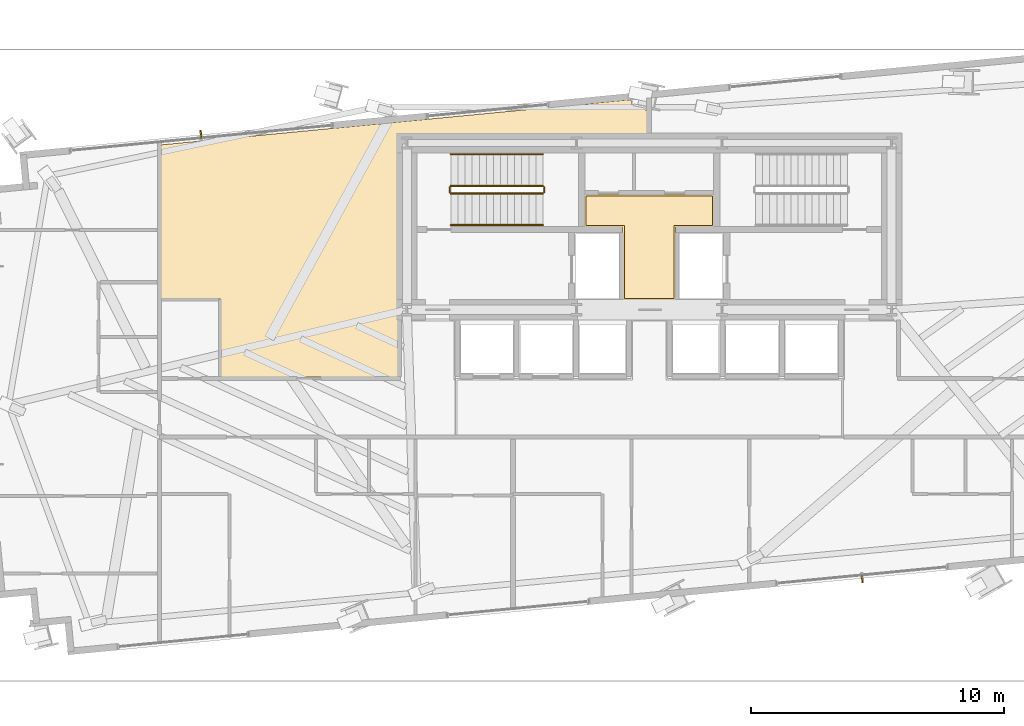
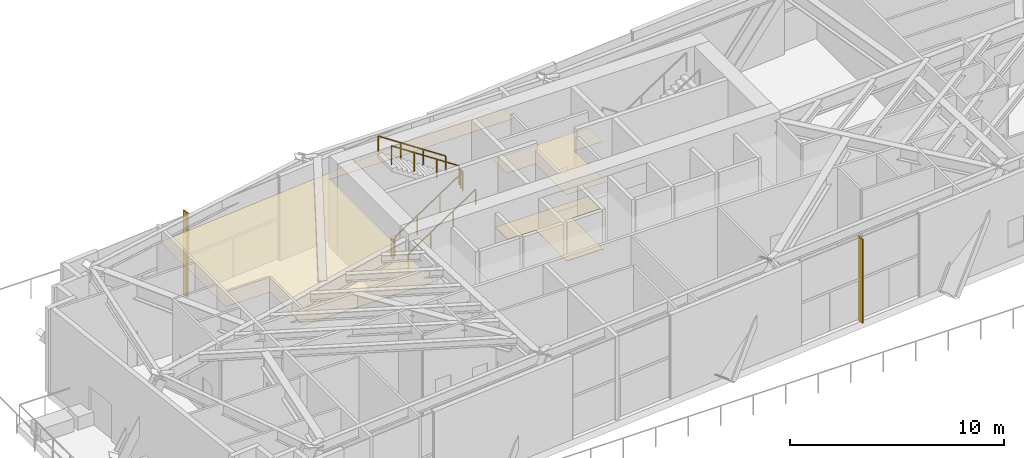
# One storey, part 26 of 28: 6 railings, 3 coverings, 2 shading devices.
"""IFC4 building model written with IfcOpenShell, lengths in metres."""

from ifc_helpers import new_model, si_unit, direction, frame, origin, origin_2d, place, context, subcontext, project, spatial, polyline, rectangle, outline, extrude, source, transform, mapped, material, layer, layer_set, type_object, type_shapes, element, save


model = new_model("IFC4")

# Units and contexts
model_context = context("Model", 3, precision=1e-05, world=origin(), true_north=direction((0.0, 1.0)))
body_context = subcontext(model_context, "Body", "Model", "MODEL_VIEW")
ifc_project = project(units=[si_unit("LENGTHUNIT", "METRE"), si_unit("AREAUNIT", "SQUARE_METRE"), si_unit("VOLUMEUNIT", "CUBIC_METRE"), si_unit("PLANEANGLEUNIT", "RADIAN"), si_unit("MASSUNIT", "GRAM", prefix="KILO")], contexts=[model_context])

# Site, building, storey
site_placement = place(None, origin())
site = spatial("IfcSite", under=ifc_project, at=site_placement, CompositionType="ELEMENT")
building_placement = place(site_placement, origin())
building = spatial("IfcBuilding", under=site, at=building_placement, Name="Astriad Promenade Condominiums", CompositionType="ELEMENT")
storey_placement = place(building_placement, frame((0.0, 0.0, 72.60009765625)))
storey = spatial("IfcBuildingStorey", under=building, at=storey_placement, Name="L20", CompositionType="ELEMENT", Elevation=72.60009765625)

# Coverings
ifc_material_1 = material(Name="Mineral-Fibre Acoustic Ceiling Tile")
ifc_layer_1 = layer(ifc_material_1, 0.02490234375)
ifc_layer_set_1 = layer_set([ifc_layer_1], Name="Mineral-Fibre Acoustic Ceiling Tile")
covering_type_1 = type_object("IfcCoveringType", Name="COV-CEIL-ACOUSTIC-25", PredefinedType="CEILING", material=ifc_layer_set_1)
covering_1_placement = place(storey_placement, frame((0.0, 0.0, 3.8349609375)))
element("IfcCovering", 1, at=covering_1_placement, inside=storey, type_object=covering_type_1, Name="CEIL-L20-CSL", PredefinedType="CEILING", context=body_context, shape_type="SweptSolid", body=[
    extrude(outline(polyline([(37.050048828125, 17.800048828125), (37.0498046875, 17.797119140625), (37.04931640625, 17.794189453125), (37.048583984375, 17.791259765625), (37.047607421875, 17.78857421875), (37.04638671875, 17.785888671875), (37.044921875, 17.783203125), (37.043212890625, 17.781005859375), (37.041259765625, 17.77880859375), (37.0390625, 17.77685546875), (37.03662109375, 17.775146484375), (37.0341796875, 17.7734375), (37.031494140625, 17.772216796875), (37.02880859375, 17.771240234375), (37.02587890625, 17.7705078125), (37.02294921875, 17.77001953125), (37.02001953125, 17.77001953125), (34.97998046875, 17.77001953125), (34.97705078125, 17.77001953125), (34.97412109375, 17.7705078125), (34.97119140625, 17.771240234375), (34.968505859375, 17.772216796875), (34.9658203125, 17.7734375), (34.96337890625, 17.775146484375), (34.9609375, 17.77685546875), (34.958740234375, 17.77880859375), (34.956787109375, 17.781005859375), (34.955078125, 17.783203125), (34.95361328125, 17.785888671875), (34.952392578125, 17.78857421875), (34.951416015625, 17.791259765625), (34.95068359375, 17.794189453125), (34.9501953125, 17.797119140625), (34.949951171875, 17.800048828125), (34.949951171875, 20.669921875), (33.4599609375, 20.669921875), (33.45703125, 20.670166015625), (33.4541015625, 20.670654296875), (33.451416015625, 20.67138671875), (33.448486328125, 20.67236328125), (33.44580078125, 20.673583984375), (33.443359375, 20.675048828125), (33.44091796875, 20.6767578125), (33.438720703125, 20.6787109375), (33.436767578125, 20.680908203125), (33.43505859375, 20.683349609375), (33.43359375, 20.685791015625), (33.432373046875, 20.6884765625), (33.431396484375, 20.69140625), (33.4306640625, 20.694091796875), (33.43017578125, 20.697021484375), (33.429931640625, 20.699951171875), (33.429931640625, 21.949951171875), (33.43017578125, 21.952880859375), (33.4306640625, 21.955810546875), (33.431396484375, 21.958740234375), (33.432373046875, 21.96142578125), (33.43359375, 21.964111328125), (33.43505859375, 21.966796875), (33.436767578125, 21.968994140625), (33.438720703125, 21.97119140625), (33.44091796875, 21.97314453125), (33.443359375, 21.974853515625), (33.44580078125, 21.9765625), (33.448486328125, 21.977783203125), (33.451416015625, 21.978759765625), (33.4541015625, 21.9794921875), (33.45703125, 21.97998046875), (33.4599609375, 21.97998046875), (38.5400390625, 21.97998046875), (38.54296875, 21.97998046875), (38.5458984375, 21.9794921875), (38.548583984375, 21.978759765625), (38.551513671875, 21.977783203125), (38.55419921875, 21.9765625), (38.556640625, 21.974853515625), (38.55908203125, 21.97314453125), (38.561279296875, 21.97119140625), (38.563232421875, 21.968994140625), (38.56494140625, 21.966796875), (38.56640625, 21.964111328125), (38.567626953125, 21.96142578125), (38.568603515625, 21.958740234375), (38.5693359375, 21.955810546875), (38.56982421875, 21.952880859375), (38.570068359375, 21.949951171875), (38.570068359375, 20.699951171875), (38.56982421875, 20.697021484375), (38.5693359375, 20.694091796875), (38.568603515625, 20.69140625), (38.567626953125, 20.6884765625), (38.56640625, 20.685791015625), (38.56494140625, 20.683349609375), (38.563232421875, 20.680908203125), (38.561279296875, 20.6787109375), (38.55908203125, 20.6767578125), (38.556640625, 20.675048828125), (38.55419921875, 20.673583984375), (38.551513671875, 20.67236328125), (38.548583984375, 20.67138671875), (38.5458984375, 20.670654296875), (38.54296875, 20.670166015625), (38.5400390625, 20.669921875), (37.050048828125, 20.669921875), (37.050048828125, 17.800048828125)])), origin(), (0.0, 0.0, 1.0), 0.02490234375),
])
covering_2_placement = place(storey_placement, frame((0.0, 0.0, 3.8349609375)))
element("IfcCovering", 2, at=covering_2_placement, inside=storey, type_object=covering_type_1, Name="CEIL-L20-NWA", PredefinedType="CEILING", context=body_context, shape_type="SweptSolid", body=[
    extrude(outline(polyline([(35.32861328125, 25.63330078125), (35.286376953125, 25.42724609375), (35.718505859375, 25.33837890625), (35.929931640625, 25.295166015625), (35.929931640625, 24.39990234375), (35.929931640625, 24.397216796875), (35.929443359375, 24.39404296875), (35.9287109375, 24.391357421875), (35.927734375, 24.388427734375), (35.926513671875, 24.385986328125), (35.9248046875, 24.38330078125), (35.923095703125, 24.381103515625), (35.921142578125, 24.37890625), (35.9189453125, 24.376708984375), (35.916748046875, 24.375), (35.9140625, 24.37353515625), (35.91162109375, 24.372314453125), (35.90869140625, 24.371337890625), (35.906005859375, 24.37060546875), (35.90283203125, 24.3701171875), (35.89990234375, 24.3701171875), (26.030029296875, 24.3701171875), (26.030029296875, 17.030029296875), (26.0400390625, 17.030029296875), (26.04296875, 17.02978515625), (26.0458984375, 17.029296875), (26.048583984375, 17.02880859375), (26.051513671875, 17.027587890625), (26.05419921875, 17.026611328125), (26.056640625, 17.02490234375), (26.05908203125, 17.023193359375), (26.061279296875, 17.021240234375), (26.063232421875, 17.01904296875), (26.06494140625, 17.0166015625), (26.06640625, 17.01416015625), (26.067626953125, 17.011474609375), (26.068603515625, 17.0087890625), (26.0693359375, 17.005859375), (26.06982421875, 17.0029296875), (26.070068359375, 17.0), (26.070068359375, 14.760009765625), (26.06982421875, 14.757080078125), (26.0693359375, 14.754150390625), (26.068603515625, 14.751220703125), (26.067626953125, 14.74853515625), (26.06640625, 14.745849609375), (26.06494140625, 14.743408203125), (26.063232421875, 14.740966796875), (26.061279296875, 14.73876953125), (26.05908203125, 14.73681640625), (26.056640625, 14.735107421875), (26.05419921875, 14.7333984375), (26.051513671875, 14.732421875), (26.048583984375, 14.731201171875), (26.0458984375, 14.730712890625), (26.04296875, 14.72998046875), (26.0400390625, 14.72998046875), (19.06005859375, 14.72998046875), (19.05712890625, 14.72998046875), (19.05419921875, 14.730712890625), (19.05126953125, 14.731201171875), (19.048583984375, 14.732421875), (19.0458984375, 14.7333984375), (19.043212890625, 14.735107421875), (19.041015625, 14.73681640625), (19.038818359375, 14.73876953125), (19.036865234375, 14.740966796875), (19.03515625, 14.743408203125), (19.033447265625, 14.745849609375), (19.0322265625, 14.74853515625), (19.03125, 14.751220703125), (19.030517578125, 14.754150390625), (19.030029296875, 14.757080078125), (19.030029296875, 14.760009765625), (19.030029296875, 17.830078125), (16.679931640625, 17.830078125), (16.677001953125, 17.830078125), (16.674072265625, 17.83056640625), (16.67138671875, 17.831298828125), (16.66845703125, 17.832275390625), (16.666015625, 17.83349609375), (16.663330078125, 17.835205078125), (16.660888671875, 17.8369140625), (16.65869140625, 17.8388671875), (16.65673828125, 17.841064453125), (16.655029296875, 17.84326171875), (16.653564453125, 17.845947265625), (16.65234375, 17.848388671875), (16.6513671875, 17.851318359375), (16.650634765625, 17.85400390625), (16.650146484375, 17.857177734375), (16.64990234375, 17.860107421875), (16.64990234375, 23.923828125), (35.25146484375, 25.71484375), (35.287841796875, 25.660400390625), (35.32861328125, 25.63330078125)])), origin(), (0.0, 0.0, 1.0), 0.02490234375),
])
ifc_material_2 = material(Name="Polished Lakefront Terrazzo Flooring")
ifc_layer_2 = layer(ifc_material_2, 0.02001953125)
ifc_layer_set_2 = layer_set([ifc_layer_2], Name="Polished Lakefront Terrazzo Flooring")
covering_type_2 = type_object("IfcCoveringType", Name="COV-FLOR-TERRAZZO-20", PredefinedType="FLOORING", material=ifc_layer_set_2)
covering_3_placement = place(storey_placement, origin())
element("IfcCovering", 3, at=covering_3_placement, inside=storey, type_object=covering_type_2, Name="FLR-L20-CSL", PredefinedType="FLOORING", context=body_context, shape_type="SweptSolid", body=[
    extrude(outline(polyline([(36.97998046875, 20.699951171875), (36.97998046875, 17.840087890625), (35.02001953125, 17.840087890625), (35.02001953125, 20.699951171875), (35.019775390625, 20.703857421875), (35.019287109375, 20.707763671875), (35.018310546875, 20.711669921875), (35.01708984375, 20.71533203125), (35.015380859375, 20.718994140625), (35.01318359375, 20.72216796875), (35.010986328125, 20.725341796875), (35.00830078125, 20.728271484375), (35.00537109375, 20.73095703125), (35.002197265625, 20.7333984375), (34.998779296875, 20.7353515625), (34.995361328125, 20.737060546875), (34.99169921875, 20.73828125), (34.98779296875, 20.7392578125), (34.98388671875, 20.73974609375), (34.97998046875, 20.739990234375), (33.5, 20.739990234375), (33.5, 21.909912109375), (38.5, 21.909912109375), (38.5, 20.739990234375), (37.02001953125, 20.739990234375), (37.01611328125, 20.73974609375), (37.01220703125, 20.7392578125), (37.00830078125, 20.73828125), (37.004638671875, 20.737060546875), (37.001220703125, 20.7353515625), (36.997802734375, 20.7333984375), (36.99462890625, 20.73095703125), (36.99169921875, 20.728271484375), (36.989013671875, 20.725341796875), (36.98681640625, 20.72216796875), (36.984619140625, 20.718994140625), (36.98291015625, 20.71533203125), (36.981689453125, 20.711669921875), (36.980712890625, 20.707763671875), (36.980224609375, 20.703857421875), (36.97998046875, 20.699951171875)])), origin(), (0.0, 0.0, 1.0), 0.02001953125),
])

# Shading devices
ifc_material_3 = material(Name="Anodised aluminium 6063-T6 Black Fin", Category="aluminium")
shading_device_type = type_object("IfcShadingDeviceType", Name="FIN-BLACK-320", PredefinedType="USERDEFINED", material=ifc_material_3)
shared_shape_1 = source(origin(), body_context, "Body", "SweptSolid", [
    extrude(rectangle(XDim=0.06494140625, YDim=0.320068359375, at=origin_2d()), origin(), (0.0, 0.0, 1.0), 4.780029296875),
])
type_shapes(shading_device_type, [shared_shape_1])
for number, where, z_axis, x_axis, name in (
    (4, (18.248046875, 24.339111328125, 0.0), (0.0, 0.0, 1.0), (0.995396198367, 0.09584575252, 0.0), "CW-L20-N-1-FIN-01"),
    (5, (44.4345703125, 6.747802734375, 0.0), (0.0, 0.0, 1.0), (-0.995396198367, -0.09584575252, 0.0), "CW-L20-S-2-FIN-01"),
):
    element("IfcShadingDevice", number, at=place(storey_placement, frame(where, z_axis=z_axis, x_axis=x_axis)), inside=storey, type_object=shading_device_type, Name=name, ObjectType="FIN", PredefinedType="USERDEFINED", context=body_context, shape_type="MappedRepresentation", body=[
        mapped(shared_shape_1, transform((0.0, 0.0, 0.0), scale=1.0)),
    ])

# Railings
ifc_material_4 = material(Name="Painted Galvanised Steel Guardrail", Category="steel")
railing_type_1 = type_object("IfcRailingType", Name="GRD-STAIR-1100", PredefinedType="GUARDRAIL", material=ifc_material_4)
shared_shape_2 = source(origin(), body_context, "Body", "SweptSolid", [
    extrude(rectangle(XDim=0.048095703125, YDim=0.048095703125, at=origin_2d()), frame((0.0, 0.0, 1.076171875), z_axis=(0.0, 1.0, 0.0), x_axis=(-1.0, 0.0, 0.0)), (0.0, 0.0, 1.0), 0.199951171875),
    extrude(rectangle(XDim=0.0419921875, YDim=0.0419921875, at=origin_2d()), origin(), (0.0, 0.0, 1.0), 1.052001953125),
    extrude(rectangle(XDim=0.0419921875, YDim=0.0419921875, at=origin_2d()), frame((0.0, 0.199951171875, 0.0)), (0.0, 0.0, 1.0), 1.052001953125),
])
for number, where, name in (
    (6, (31.840087890625, 22.050048828125, 2.599853515625), "L20 ST-1 stair guard 2"),
    (7, (28.10009765625, 22.050048828125, 0.0), "L20 ST-1 stair guard 4"),
):
    element("IfcRailing", number, at=place(storey_placement, frame(where)), inside=storey, type_object=railing_type_1, Name=name, PredefinedType="GUARDRAIL", context=body_context, shape_type="MappedRepresentation", body=[
        mapped(shared_shape_2, transform((0.0, 0.0, 0.0), scale=1.0)),
    ])
shared_shape_3 = source(origin(), body_context, "Body", "SweptSolid", [
    extrude(rectangle(XDim=0.048095703125, YDim=0.048095703125, at=origin_2d()), frame((0.0, 0.0, 1.076171875), z_axis=(0.833363587613, 0.0, 0.552725185641), x_axis=(0.0, 1.0, 0.0)), (0.0, 0.0, 1.0), 4.367919921875),
    extrude(rectangle(XDim=0.0419921875, YDim=0.0419921875, at=origin_2d()), origin(), (0.0, 0.0, 1.0), 1.052001953125),
    extrude(rectangle(XDim=0.0419921875, YDim=0.0419921875, at=origin_2d()), frame((1.21337890625, 0.0, 0.8046875)), (0.0, 0.0, 1.0), 1.052001953125),
    extrude(rectangle(XDim=0.0419921875, YDim=0.0419921875, at=origin_2d()), frame((2.4267578125, 0.0, 1.609619140625)), (0.0, 0.0, 1.0), 1.052001953125),
    extrude(rectangle(XDim=0.0419921875, YDim=0.0419921875, at=origin_2d()), frame((3.64013671875, 0.0, 2.414306640625)), (0.0, 0.0, 1.0), 1.052001953125),
])
railing_1_placement = place(storey_placement, frame((28.14990234375, 22.0, 0.185546875)))
element("IfcRailing", 8, at=railing_1_placement, inside=storey, type_object=railing_type_1, Name="L20 ST-1 stair guard 1", PredefinedType="GUARDRAIL", context=body_context, shape_type="MappedRepresentation", body=[
    mapped(shared_shape_3, transform((0.0, 0.0, 0.0), scale=1.0)),
])
shared_shape_4 = source(origin(), body_context, "Body", "SweptSolid", [
    extrude(rectangle(XDim=0.048095703125, YDim=0.048095703125, at=origin_2d()), frame((0.0, 0.0, 1.076171875), z_axis=(-0.833363587613, 0.0, 0.552725185641), x_axis=(0.0, -1.0, 0.0)), (0.0, 0.0, 1.0), 4.367919921875),
    extrude(rectangle(XDim=0.0419921875, YDim=0.0419921875, at=origin_2d()), origin(), (0.0, 0.0, 1.0), 1.052001953125),
    extrude(rectangle(XDim=0.0419921875, YDim=0.0419921875, at=origin_2d()), frame((-1.21337890625, 0.0, 0.8046875)), (0.0, 0.0, 1.0), 1.052001953125),
    extrude(rectangle(XDim=0.0419921875, YDim=0.0419921875, at=origin_2d()), frame((-2.4267578125, 0.0, 1.609619140625)), (0.0, 0.0, 1.0), 1.052001953125),
    extrude(rectangle(XDim=0.0419921875, YDim=0.0419921875, at=origin_2d()), frame((-3.64013671875, 0.0, 2.414306640625)), (0.0, 0.0, 1.0), 1.052001953125),
])
type_shapes(railing_type_1, [shared_shape_2, shared_shape_3, shared_shape_4])
railing_2_placement = place(storey_placement, frame((31.7900390625, 22.300048828125, 2.78564453125)))
element("IfcRailing", 9, at=railing_2_placement, inside=storey, type_object=railing_type_1, Name="L20 ST-1 stair guard 3", PredefinedType="GUARDRAIL", context=body_context, shape_type="MappedRepresentation", body=[
    mapped(shared_shape_4, transform((0.0, 0.0, 0.0), scale=1.0)),
])
ifc_material_5 = material(Name="Brushed Stainless Steel Handrail", Category="steel")
railing_type_2 = type_object("IfcRailingType", Name="HRL-STAIR-920", PredefinedType="HANDRAIL", material=ifc_material_5)
shared_shape_5 = source(origin(), body_context, "Body", "SweptSolid", [
    extrude(rectangle(XDim=0.048095703125, YDim=0.048095703125, at=origin_2d()), frame((0.0, 0.0, 0.8759765625), z_axis=(0.833363587613, 0.0, 0.552725185641), x_axis=(0.0, 1.0, 0.0)), (0.0, 0.0, 1.0), 4.367919921875),
    extrude(rectangle(XDim=0.0419921875, YDim=0.0419921875, at=origin_2d()), origin(), (0.0, 0.0, 1.0), 0.851806640625),
    extrude(rectangle(XDim=0.0419921875, YDim=0.0419921875, at=origin_2d()), frame((1.21337890625, 0.0, 0.8046875)), (0.0, 0.0, 1.0), 0.851806640625),
    extrude(rectangle(XDim=0.0419921875, YDim=0.0419921875, at=origin_2d()), frame((2.4267578125, 0.0, 1.609619140625)), (0.0, 0.0, 1.0), 0.851806640625),
    extrude(rectangle(XDim=0.0419921875, YDim=0.0419921875, at=origin_2d()), frame((3.64013671875, 0.0, 2.414306640625)), (0.0, 0.0, 1.0), 0.851806640625),
])
railing_3_placement = place(storey_placement, frame((28.14990234375, 20.75, 0.185546875)))
element("IfcRailing", 10, at=railing_3_placement, inside=storey, type_object=railing_type_2, Name="L20 ST-1 stair handrail 1", PredefinedType="HANDRAIL", context=body_context, shape_type="MappedRepresentation", body=[
    mapped(shared_shape_5, transform((0.0, 0.0, 0.0), scale=1.0)),
])
shared_shape_6 = source(origin(), body_context, "Body", "SweptSolid", [
    extrude(rectangle(XDim=0.048095703125, YDim=0.048095703125, at=origin_2d()), frame((0.0, 0.0, 0.8759765625), z_axis=(-0.833363587613, 0.0, 0.552725185641), x_axis=(0.0, -1.0, 0.0)), (0.0, 0.0, 1.0), 4.367919921875),
    extrude(rectangle(XDim=0.0419921875, YDim=0.0419921875, at=origin_2d()), origin(), (0.0, 0.0, 1.0), 0.851806640625),
    extrude(rectangle(XDim=0.0419921875, YDim=0.0419921875, at=origin_2d()), frame((-1.21337890625, 0.0, 0.8046875)), (0.0, 0.0, 1.0), 0.851806640625),
    extrude(rectangle(XDim=0.0419921875, YDim=0.0419921875, at=origin_2d()), frame((-2.4267578125, 0.0, 1.609619140625)), (0.0, 0.0, 1.0), 0.851806640625),
    extrude(rectangle(XDim=0.0419921875, YDim=0.0419921875, at=origin_2d()), frame((-3.64013671875, 0.0, 2.414306640625)), (0.0, 0.0, 1.0), 0.851806640625),
])
type_shapes(railing_type_2, [shared_shape_5, shared_shape_6])
railing_4_placement = place(storey_placement, frame((31.7900390625, 23.550048828125, 2.78564453125)))
element("IfcRailing", 11, at=railing_4_placement, inside=storey, type_object=railing_type_2, Name="L20 ST-1 stair handrail 2", PredefinedType="HANDRAIL", context=body_context, shape_type="MappedRepresentation", body=[
    mapped(shared_shape_6, transform((0.0, 0.0, 0.0), scale=1.0)),
])

save(model, "model.ifc")
